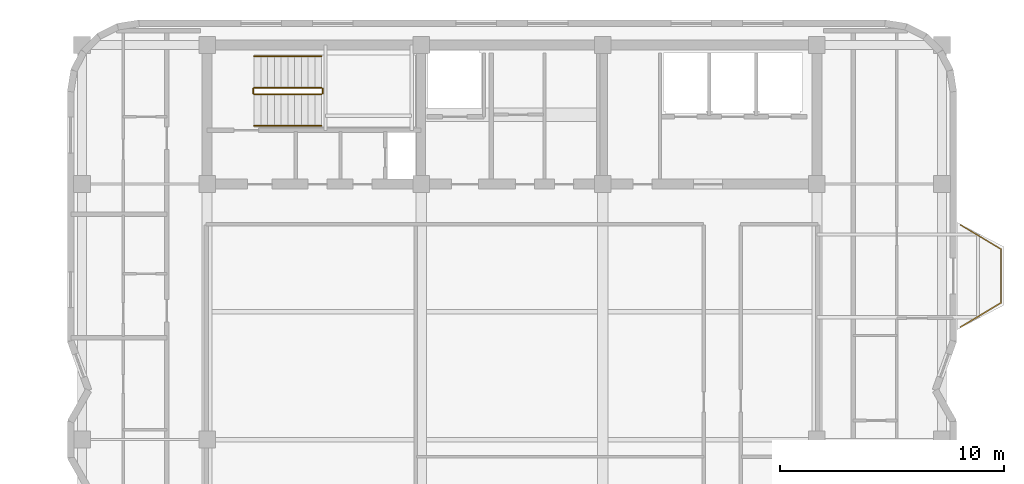
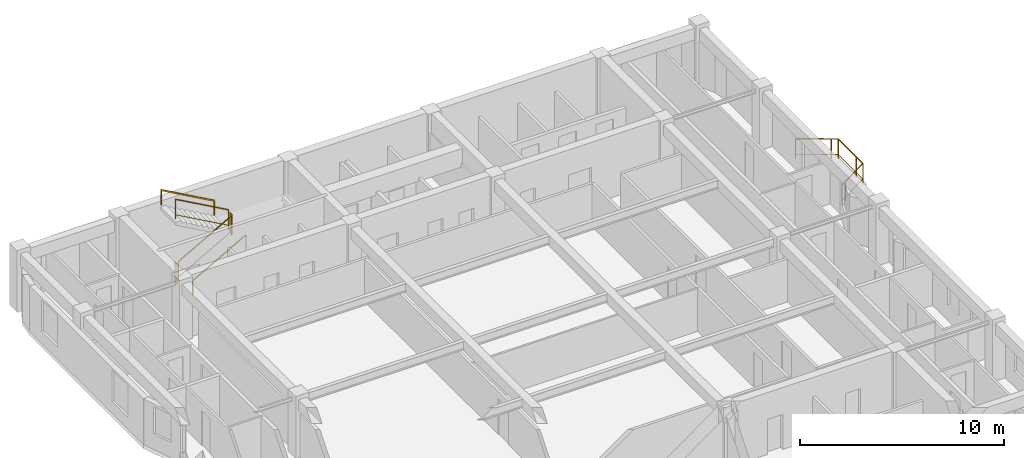
# One storey, part 9 of 9: 7 railings.
"""IFC4 building model written with IfcOpenShell, lengths in metres."""

from ifc_helpers import new_model, si_unit, direction, frame, origin, origin_2d, place, context, subcontext, project, spatial, rectangle, extrude, material, type_object, element, save


model = new_model("IFC4")

# Units and contexts
model_context = context("Model", 3, precision=1e-05, world=origin(), true_north=direction((0.0, 1.0)))
body_context = subcontext(model_context, "Body", "Model", "MODEL_VIEW")
ifc_project = project(units=[si_unit("LENGTHUNIT", "METRE"), si_unit("AREAUNIT", "SQUARE_METRE"), si_unit("VOLUMEUNIT", "CUBIC_METRE"), si_unit("PLANEANGLEUNIT", "RADIAN"), si_unit("MASSUNIT", "GRAM", prefix="KILO")], contexts=[model_context])

# Site, building, storey
site_placement = place(None, origin())
site = spatial("IfcSite", under=ifc_project, at=site_placement, CompositionType="ELEMENT")
building_placement = place(site_placement, origin())
building = spatial("IfcBuilding", under=site, at=building_placement, Name="Svetorya Sky Lyceum", CompositionType="ELEMENT")
storey_placement = place(building_placement, frame((0.0, 0.0, 267.60009765625)))
storey = spatial("IfcBuildingStorey", under=building, at=storey_placement, Name="L67", CompositionType="ELEMENT", Elevation=267.60009765625)

# Railings
ifc_material_1 = material(Name="Laminated safety glass and stainless AISI 316", Category="glass")
railing_type_1 = type_object("IfcRailingType", Name="RL-BAL-1200", PredefinedType="BALUSTRADE", material=ifc_material_1)
railing_1_placement = place(storey_placement, frame((59.2099609375, 37.780029296875, 0.0)))
element("IfcRailing", 1, at=railing_1_placement, inside=storey, type_object=railing_type_1, Name="L67 Balcony Balustrade BAL-E1", PredefinedType="BALUSTRADE", context=body_context, shape_type="SweptSolid", body=[
    extrude(rectangle(XDim=0.048095703125, YDim=0.048095703125, at=origin_2d()), frame((0.0, 0.0, 1.17578125), z_axis=(0.857482663744, -0.514512858321, 0.0), x_axis=(0.514512858321, 0.857482663744, 0.0)), (0.0, 0.0, 1.0), 2.09912109375),
    extrude(rectangle(XDim=0.02392578125, YDim=0.02392578125, at=origin_2d()), frame((0.0, 0.0, 0.25), z_axis=(0.857482663744, -0.514512858321, 0.0), x_axis=(0.514512858321, 0.857482663744, 0.0)), (0.0, 0.0, 1.0), 2.09912109375),
    extrude(rectangle(XDim=0.048095703125, YDim=0.048095703125, at=origin_2d()), frame((1.800048828125, -1.080078125, 1.17578125), z_axis=(0.0, -1.0, 0.0), x_axis=(1.0, 0.0, 0.0)), (0.0, 0.0, 1.0), 2.39990234375),
    extrude(rectangle(XDim=0.02392578125, YDim=0.02392578125, at=origin_2d()), frame((1.800048828125, -1.080078125, 0.25), z_axis=(0.0, -1.0, 0.0), x_axis=(1.0, 0.0, 0.0)), (0.0, 0.0, 1.0), 2.39990234375),
    extrude(rectangle(XDim=0.048095703125, YDim=0.048095703125, at=origin_2d()), frame((1.800048828125, -3.47998046875, 1.17578125), z_axis=(-0.857482663744, -0.514512858321, 0.0), x_axis=(0.514512858321, -0.857482663744, 0.0)), (0.0, 0.0, 1.0), 2.09912109375),
    extrude(rectangle(XDim=0.02392578125, YDim=0.02392578125, at=origin_2d()), frame((1.800048828125, -3.47998046875, 0.25), z_axis=(-0.857482663744, -0.514512858321, 0.0), x_axis=(0.514512858321, -0.857482663744, 0.0)), (0.0, 0.0, 1.0), 2.09912109375),
    extrude(rectangle(XDim=0.0419921875, YDim=0.0419921875, at=origin_2d()), origin(), (0.0, 0.0, 1.0), 1.15185546875),
    extrude(rectangle(XDim=0.0419921875, YDim=0.0419921875, at=origin_2d()), frame((1.50048828125, -0.900390625, 0.0)), (0.0, 0.0, 1.0), 1.15185546875),
    extrude(rectangle(XDim=0.0419921875, YDim=0.0419921875, at=origin_2d()), frame((1.800048828125, -1.080078125, 0.0)), (0.0, 0.0, 1.0), 1.15185546875),
    extrude(rectangle(XDim=0.0419921875, YDim=0.0419921875, at=origin_2d()), frame((1.800048828125, -2.830078125, 0.0)), (0.0, 0.0, 1.0), 1.15185546875),
    extrude(rectangle(XDim=0.0419921875, YDim=0.0419921875, at=origin_2d()), frame((1.800048828125, -3.47998046875, 0.0)), (0.0, 0.0, 1.0), 1.15185546875),
    extrude(rectangle(XDim=0.0419921875, YDim=0.0419921875, at=origin_2d()), frame((0.299560546875, -4.38037109375, 0.0)), (0.0, 0.0, 1.0), 1.15185546875),
    extrude(rectangle(XDim=0.0419921875, YDim=0.0419921875, at=origin_2d()), frame((0.0, -4.56005859375, 0.0)), (0.0, 0.0, 1.0), 1.15185546875),
])
ifc_material_2 = material(Name="Painted galvanized stair well guard")
railing_type_2 = type_object("IfcRailingType", Name="RL-STR-GUARD-1200", PredefinedType="GUARDRAIL", material=ifc_material_2)
railing_2_placement = place(storey_placement, frame((27.699951171875, 43.60009765625, 0.16796875)))
element("IfcRailing", 2, at=railing_2_placement, inside=storey, type_object=railing_type_2, Name="L67 ST-N stair guard 1", PredefinedType="GUARDRAIL", context=body_context, shape_type="SweptSolid", body=[
    extrude(rectangle(XDim=0.048095703125, YDim=0.048095703125, at=origin_2d()), frame((0.0, 0.0, 1.17578125), z_axis=(0.872272294576, 0.0, 0.489020494575), x_axis=(0.0, 1.0, 0.0)), (0.0, 0.0, 1.0), 3.439208984375),
    extrude(rectangle(XDim=0.02392578125, YDim=0.02392578125, at=origin_2d()), frame((0.0, 0.0, 0.25), z_axis=(0.872272294576, 0.0, 0.489020494575), x_axis=(0.0, 1.0, 0.0)), (0.0, 0.0, 1.0), 3.439208984375),
    extrude(rectangle(XDim=0.0419921875, YDim=0.0419921875, at=origin_2d()), origin(), (0.0, 0.0, 1.0), 1.15185546875),
    extrude(rectangle(XDim=0.0419921875, YDim=0.0419921875, at=origin_2d()), frame((3.0, 0.0, 1.681884765625)), (0.0, 0.0, 1.0), 1.15185546875),
])
railing_3_placement = place(storey_placement, frame((30.75, 43.64990234375, 1.849853515625)))
element("IfcRailing", 3, at=railing_3_placement, inside=storey, type_object=railing_type_2, Name="L67 ST-N stair guard 2", PredefinedType="GUARDRAIL", context=body_context, shape_type="SweptSolid", body=[
    extrude(rectangle(XDim=0.048095703125, YDim=0.048095703125, at=origin_2d()), frame((0.0, 0.0, 1.17578125), z_axis=(0.0, 1.0, 0.0), x_axis=(-1.0, 0.0, 0.0)), (0.0, 0.0, 1.0), 0.2001953125),
    extrude(rectangle(XDim=0.02392578125, YDim=0.02392578125, at=origin_2d()), frame((0.0, 0.0, 0.25), z_axis=(0.0, 1.0, 0.0), x_axis=(-1.0, 0.0, 0.0)), (0.0, 0.0, 1.0), 0.2001953125),
    extrude(rectangle(XDim=0.0419921875, YDim=0.0419921875, at=origin_2d()), origin(), (0.0, 0.0, 1.0), 1.15185546875),
    extrude(rectangle(XDim=0.0419921875, YDim=0.0419921875, at=origin_2d()), frame((0.0, 0.2001953125, 0.0)), (0.0, 0.0, 1.0), 1.15185546875),
])
railing_4_placement = place(storey_placement, frame((30.699951171875, 43.89990234375, 2.01806640625)))
element("IfcRailing", 4, at=railing_4_placement, inside=storey, type_object=railing_type_2, Name="L67 ST-N stair guard 3", PredefinedType="GUARDRAIL", context=body_context, shape_type="SweptSolid", body=[
    extrude(rectangle(XDim=0.048095703125, YDim=0.048095703125, at=origin_2d()), frame((0.0, 0.0, 1.17578125), z_axis=(-0.872272294576, 0.0, 0.489020494575), x_axis=(0.0, -1.0, 0.0)), (0.0, 0.0, 1.0), 3.439208984375),
    extrude(rectangle(XDim=0.02392578125, YDim=0.02392578125, at=origin_2d()), frame((0.0, 0.0, 0.25), z_axis=(-0.872272294576, 0.0, 0.489020494575), x_axis=(0.0, -1.0, 0.0)), (0.0, 0.0, 1.0), 3.439208984375),
    extrude(rectangle(XDim=0.0419921875, YDim=0.0419921875, at=origin_2d()), origin(), (0.0, 0.0, 1.0), 1.15185546875),
    extrude(rectangle(XDim=0.0419921875, YDim=0.0419921875, at=origin_2d()), frame((-3.0, 0.0, 1.681884765625)), (0.0, 0.0, 1.0), 1.15185546875),
])
railing_5_placement = place(storey_placement, frame((27.64990234375, 43.64990234375, 0.0)))
element("IfcRailing", 5, at=railing_5_placement, inside=storey, type_object=railing_type_2, Name="L67 ST-N stair guard 4", PredefinedType="GUARDRAIL", context=body_context, shape_type="SweptSolid", body=[
    extrude(rectangle(XDim=0.048095703125, YDim=0.048095703125, at=origin_2d()), frame((0.0, 0.0, 1.17578125), z_axis=(0.0, 1.0, 0.0), x_axis=(-1.0, 0.0, 0.0)), (0.0, 0.0, 1.0), 0.2001953125),
    extrude(rectangle(XDim=0.02392578125, YDim=0.02392578125, at=origin_2d()), frame((0.0, 0.0, 0.25), z_axis=(0.0, 1.0, 0.0), x_axis=(-1.0, 0.0, 0.0)), (0.0, 0.0, 1.0), 0.2001953125),
    extrude(rectangle(XDim=0.0419921875, YDim=0.0419921875, at=origin_2d()), origin(), (0.0, 0.0, 1.0), 1.15185546875),
    extrude(rectangle(XDim=0.0419921875, YDim=0.0419921875, at=origin_2d()), frame((0.0, 0.2001953125, 0.0)), (0.0, 0.0, 1.0), 1.15185546875),
])
ifc_material_3 = material(Name="Brushed stainless AISI 304 stair handrail")
railing_type_3 = type_object("IfcRailingType", Name="RL-STR-HAND-920", PredefinedType="HANDRAIL", material=ifc_material_3)
railing_6_placement = place(storey_placement, frame((27.699951171875, 42.199951171875, 0.16796875)))
element("IfcRailing", 6, at=railing_6_placement, inside=storey, type_object=railing_type_3, Name="L67 ST-N stair handrail 1", PredefinedType="HANDRAIL", context=body_context, shape_type="SweptSolid", body=[
    extrude(rectangle(XDim=0.048095703125, YDim=0.048095703125, at=origin_2d()), frame((0.0, 0.0, 0.8759765625), z_axis=(0.872272294576, 0.0, 0.489020494575), x_axis=(0.0, 1.0, 0.0)), (0.0, 0.0, 1.0), 3.439208984375),
    extrude(rectangle(XDim=0.0419921875, YDim=0.0419921875, at=origin_2d()), origin(), (0.0, 0.0, 1.0), 0.851806640625),
    extrude(rectangle(XDim=0.0419921875, YDim=0.0419921875, at=origin_2d()), frame((3.0, 0.0, 1.681884765625)), (0.0, 0.0, 1.0), 0.851806640625),
])
railing_7_placement = place(storey_placement, frame((30.699951171875, 45.300048828125, 2.01806640625)))
element("IfcRailing", 7, at=railing_7_placement, inside=storey, type_object=railing_type_3, Name="L67 ST-N stair handrail 2", PredefinedType="HANDRAIL", context=body_context, shape_type="SweptSolid", body=[
    extrude(rectangle(XDim=0.048095703125, YDim=0.048095703125, at=origin_2d()), frame((0.0, 0.0, 0.8759765625), z_axis=(-0.872272294576, 0.0, 0.489020494575), x_axis=(0.0, -1.0, 0.0)), (0.0, 0.0, 1.0), 3.439208984375),
    extrude(rectangle(XDim=0.0419921875, YDim=0.0419921875, at=origin_2d()), origin(), (0.0, 0.0, 1.0), 0.851806640625),
    extrude(rectangle(XDim=0.0419921875, YDim=0.0419921875, at=origin_2d()), frame((-3.0, 0.0, 1.681884765625)), (0.0, 0.0, 1.0), 0.851806640625),
])

save(model, "model.ifc")
